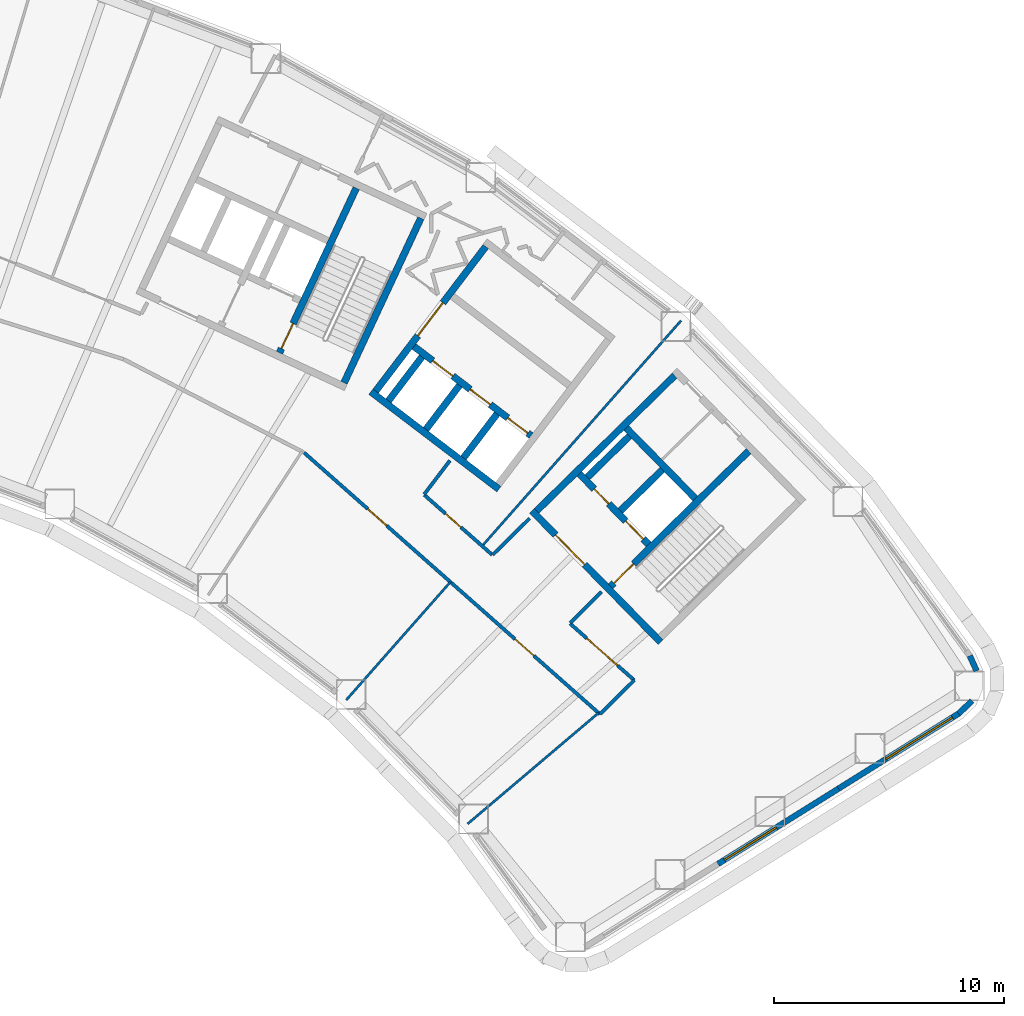
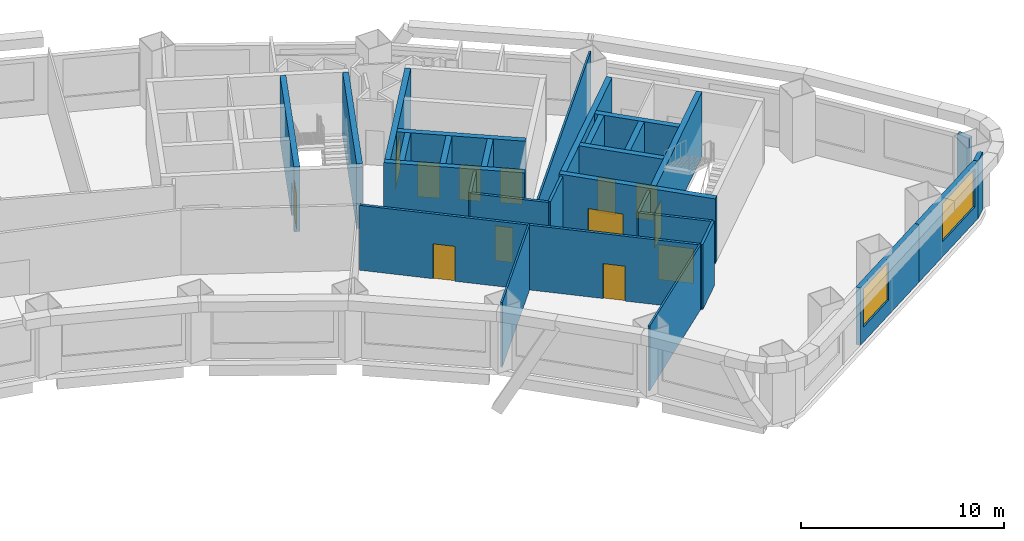
# One storey, part 6 of 11: 29 walls, 13 doors, 2 windows, 15 openings.
"""IFC4 building model written with IfcOpenShell, lengths in metres."""

import ifcopenshell
import ifcopenshell.guid

model = None  # the IFC model being written
_history = None  # IfcOwnerHistory: only IFC2X3 demands one
_inside = {}  # id of a spatial element -> (the spatial element, [elements in it])
_under = {}  # id of a project, library or spatial element -> (it, [spatial elements below it])
_declared = {}  # id of a project -> (the project, [libraries it declares])
_typed = {}  # id of a type object -> (the type object, [elements of that type])
_made_of = {}  # id of a material, layer set ... -> (it, [elements and type objects made of it])


def new_model(schema):
    """Start an empty IFC model of exactly this schema.

    Asked for "IFC4X3", IfcOpenShell would pick the latest addendum, in which some entities
    have other attributes; the version numbers below select the first issue.
    IFC2X3 requires an IfcOwnerHistory on every rooted entity: one is made here for all.
    """
    global model, _history
    if schema == "IFC4X3":
        model = ifcopenshell.file(schema_version=(4, 3, 0, 0))
    else:
        model = ifcopenshell.file(schema=schema)
    _inside.clear()
    _under.clear()
    _declared.clear()
    _typed.clear()
    _made_of.clear()
    _history = None
    if model.schema == "IFC2X3":
        org = make("IfcOrganization", Name="unknown")
        user = make(
            "IfcPersonAndOrganization",
            ThePerson=make("IfcPerson", FamilyName="unknown"),
            TheOrganization=org,
        )
        app = make(
            "IfcApplication",
            ApplicationDeveloper=org,
            Version="unknown",
            ApplicationFullName="unknown",
            ApplicationIdentifier="unknown",
        )
        _history = make(
            "IfcOwnerHistory",
            OwningUser=user,
            OwningApplication=app,
            ChangeAction="ADDED",
            CreationDate=0,
        )
    return model


def make(cls, **values):
    """One entity of the class cls with the attributes given. An attribute that is None is left unset."""
    return model.create_entity(
        cls, **{name: value for name, value in values.items() if value is not None}
    )


def rooted(cls, **values):
    """An entity with a GlobalId (a new one), such as an element, a storey or a relation."""
    return make(cls, GlobalId=ifcopenshell.guid.new(), OwnerHistory=_history, **values)


def si_unit(unit_type, name, prefix=None):
    """IfcSIUnit, for example si_unit("LENGTHUNIT", "METRE", prefix="MILLI")."""
    return make("IfcSIUnit", UnitType=unit_type, Prefix=prefix, Name=name)


def assignment(units):
    """IfcUnitAssignment: the units of a project."""
    return None if units is None else make("IfcUnitAssignment", Units=units)


def point(xyz):
    """IfcCartesianPoint."""
    return None if xyz is None else make("IfcCartesianPoint", Coordinates=xyz)


def direction(xyz):
    """IfcDirection."""
    return None if xyz is None else make("IfcDirection", DirectionRatios=xyz)


def frame(location, z_axis=None, x_axis=None):
    """IfcAxis2Placement3D, a coordinate frame: its origin and axes. An axis left out is left unset."""
    return make(
        "IfcAxis2Placement3D",
        Location=point(location),
        Axis=direction(z_axis),
        RefDirection=direction(x_axis),
    )


def frame_2d(location, x_axis=None):
    """IfcAxis2Placement2D, a coordinate frame in the plane: its origin and x axis."""
    return make(
        "IfcAxis2Placement2D", Location=point(location), RefDirection=direction(x_axis)
    )


def origin():
    """The frame at (0, 0, 0) with its axes left unset."""
    return frame((0.0, 0.0, 0.0))


def place(relative_to, where):
    """IfcLocalPlacement: puts the frame where relative to a parent placement (None: the world)."""
    return make(
        "IfcLocalPlacement", PlacementRelTo=relative_to, RelativePlacement=where
    )


def context(
    kind, dimensions, precision=None, world=None, true_north=None, identifier=None
):
    """IfcGeometricRepresentationContext, for example the 3D "Model" context."""
    return make(
        "IfcGeometricRepresentationContext",
        ContextIdentifier=identifier,
        ContextType=kind,
        CoordinateSpaceDimension=dimensions,
        Precision=precision,
        WorldCoordinateSystem=world,
        TrueNorth=true_north,
    )


def subcontext(parent, identifier, kind, view, scale=None):
    """IfcGeometricRepresentationSubContext, for example "Body" below "Model"."""
    return make(
        "IfcGeometricRepresentationSubContext",
        ContextIdentifier=identifier,
        ContextType=kind,
        ParentContext=parent,
        TargetScale=scale,
        TargetView=view,
    )


def project(units=None, contexts=None):
    """IfcProject with its units and contexts."""
    return rooted(
        "IfcProject",
        Name="project",
        RepresentationContexts=contexts,
        UnitsInContext=assignment(units),
    )


def spatial(cls, under=None, at=None, **own):
    """A site, building, storey or space (cls), placed at a placement, below another one or the project."""
    s = rooted(cls, ObjectPlacement=at, **own)
    if under is not None:
        _under.setdefault(under.id(), (under, []))[1].append(s)
    return s


def profile(cls, at=None, kind="AREA", **sizes):
    """A parametric profile (cls). Its sizes go by their IFC names, for example OverallWidth=200.0."""
    return make(cls, ProfileType=kind, Position=at, **sizes)


def rectangle(**sizes):
    """IfcRectangleProfileDef."""
    return profile("IfcRectangleProfileDef", **sizes)


def extrude(swept, where, along, depth):
    """IfcExtrudedAreaSolid: the profile swept, set in the frame where, extruded along a direction by depth."""
    return make(
        "IfcExtrudedAreaSolid",
        SweptArea=swept,
        Position=where,
        ExtrudedDirection=direction(along),
        Depth=depth,
    )


def shape(context_of_items, identifier, shape_type, items):
    """IfcShapeRepresentation: the items that make up one representation, for example the "Body"."""
    return make(
        "IfcShapeRepresentation",
        ContextOfItems=context_of_items,
        RepresentationIdentifier=identifier,
        RepresentationType=shape_type,
        Items=items,
    )


def material(Name=None, Category=None):
    """IfcMaterial."""
    return make("IfcMaterial", Name=Name, Category=Category)


def layer(
    of_material, thickness, ventilated=None, Name=None, Category=None, Priority=None
):
    """IfcMaterialLayer: one layer of a wall or slab, of a material (None: an air gap)."""
    return make(
        "IfcMaterialLayer",
        Material=of_material,
        LayerThickness=thickness,
        IsVentilated=ventilated,
        Name=Name,
        Category=Category,
        Priority=Priority,
    )


def layer_set(layers, Name=None):
    """IfcMaterialLayerSet."""
    return make("IfcMaterialLayerSet", MaterialLayers=layers, LayerSetName=Name)


def made_of(thing, what):
    """Note that an element or type object is made of a material, layer set ...; save() writes the relation."""
    if what is not None:
        _made_of.setdefault(what.id(), (what, []))[1].append(thing)
    return thing


def type_object(cls, material=None, **own):
    """A type object (cls), such as IfcWallType, which elements share."""
    return made_of(rooted(cls, **own), material)


def element(
    cls,
    number,
    at=None,
    inside=None,
    cuts=None,
    type_object=None,
    material=None,
    context=None,
    identifier="Body",
    shape_type=None,
    held_by="IfcProductDefinitionShape",
    body=None,
    shapes=None,
    **own,
):
    """One element of the class cls, such as IfcWall. Its Tag is "e" and its number.

    at: its placement. inside: the storey or other place that contains it. cuts: it is an
    opening in that element (IfcRelVoidsElement). A single representation is given by context,
    identifier, shape_type and body (its items); several are given by shapes. held_by: the class
    of the entity that holds the representations. save() writes the other relations.
    """
    e = rooted(cls, Tag="e%d" % number, ObjectPlacement=at, **own)
    if body is not None:
        shapes = [shape(context, identifier, shape_type, body)]
    if shapes is not None:
        e.Representation = make(held_by, Representations=shapes)
    if inside is not None:
        _inside.setdefault(inside.id(), (inside, []))[1].append(e)
    if cuts is not None:
        rooted(
            "IfcRelVoidsElement", RelatingBuildingElement=cuts, RelatedOpeningElement=e
        )
    if type_object is not None:
        _typed.setdefault(type_object.id(), (type_object, []))[1].append(e)
    return made_of(e, material)


def fill(opening, filler):
    """IfcRelFillsElement: the door or window that sits in an opening."""
    return rooted(
        "IfcRelFillsElement",
        RelatingOpeningElement=opening,
        RelatedBuildingElement=filler,
    )


def aggregate(whole, parts):
    """IfcRelAggregates: a whole, such as a stair, and the parts it consists of."""
    return rooted("IfcRelAggregates", RelatingObject=whole, RelatedObjects=parts)


def save(model, path):
    """Write the relations noted so far, then the file.

    IfcRelAggregates (storeys below a building ...), IfcRelContainedInSpatialStructure (elements
    in a storey), IfcRelDefinesByType, IfcRelAssociatesMaterial and IfcRelDeclares: one each for
    every whole, place, type object, material and project.
    """
    for whole, parts in _under.values():
        aggregate(whole, parts)
    for where, things in _inside.values():
        rooted(
            "IfcRelContainedInSpatialStructure",
            RelatedElements=things,
            RelatingStructure=where,
        )
    for kind, things in _typed.values():
        rooted("IfcRelDefinesByType", RelatedObjects=things, RelatingType=kind)
    for what, things in _made_of.values():
        rooted("IfcRelAssociatesMaterial", RelatedObjects=things, RelatingMaterial=what)
    for by, libraries in _declared.values():
        rooted("IfcRelDeclares", RelatingContext=by, RelatedDefinitions=libraries)
    model.write(path)


model = new_model("IFC4")

# Units and contexts
model_context = context("Model", 3, precision=1e-05, world=origin(), true_north=direction((0.0, 1.0)))
body_context = subcontext(model_context, "Body", "Model", "MODEL_VIEW")
ifc_project = project(units=[si_unit("LENGTHUNIT", "METRE"), si_unit("AREAUNIT", "SQUARE_METRE"), si_unit("VOLUMEUNIT", "CUBIC_METRE"), si_unit("PLANEANGLEUNIT", "RADIAN"), si_unit("MASSUNIT", "GRAM", prefix="KILO")], contexts=[model_context])

# Site, building, storey
site_placement = place(None, origin())
site = spatial("IfcSite", under=ifc_project, at=site_placement, CompositionType="ELEMENT")
building_placement = place(site_placement, origin())
building = spatial("IfcBuilding", under=site, at=building_placement, Name="Tuul Gate Civic Tower", CompositionType="ELEMENT")
storey_placement = place(building_placement, frame((0.0, 0.0, 35.699951171875)))
storey = spatial("IfcBuildingStorey", under=building, at=storey_placement, Name="Level 07", CompositionType="ELEMENT", Elevation=35.699951171875)

# Wall, opening, door
ifc_material_1 = material(Name="Concrete C50/60", Category="concrete")
ifc_layer_1 = layer(ifc_material_1, 0.300048828125)
ifc_layer_set_1 = layer_set([ifc_layer_1], Name="Concrete C50/60")
wall_type_1 = type_object("IfcWallType", Name="Core wall C50/60", PredefinedType="SHEAR", material=ifc_layer_set_1)
wall_1_placement = place(storey_placement, frame((48.22509765625, -18.327880859375, 0.0), z_axis=(0.0, 0.0, 1.0), x_axis=(-0.700021979774, 0.714121297703, 0.0)))
wall_1 = element("IfcWall", 1, at=wall_1_placement, inside=storey, type_object=wall_type_1, Name="Core wall", PredefinedType="SHEAR", context=body_context, shape_type="SweptSolid", body=[
    extrude(rectangle(XDim=8.0, YDim=0.300048828125, at=frame_2d((4.0, 0.0))), origin(), (0.0, 0.0, 1.0), 3.900146484375),
])
opening_1_placement = place(wall_1_placement, frame((4.72509765625, 0.0, 0.0)))
opening_1 = element("IfcOpeningElement", 2, at=opening_1_placement, cuts=wall_1, Name="Opening LB-E1-LOBBY-1", PredefinedType="OPENING", context=body_context, shape_type="SweptSolid", body=[
    extrude(rectangle(XDim=1.800048828125, YDim=2.10009765625, at=frame_2d((0.89990234375, 1.050048828125))), frame((0.0, 0.16015625, 0.0), z_axis=(0.0, -1.0, 0.0), x_axis=(1.0, 0.0, 0.0)), (0.0, 0.0, 1.0), 0.320068359375),
])
ifc_material_2 = material(Name="Steel", Category="steel")
door_type_1 = type_object("IfcDoorType", Name="Lobby door", OperationType="DOUBLE_DOOR_SINGLE_SWING", PredefinedType="DOOR", material=ifc_material_2)
door_1_placement = place(opening_1_placement, frame((1.800048828125, 0.0, 0.0), z_axis=(0.0, 0.0, 1.0), x_axis=(-1.0, 0.0, 0.0)))
door_1 = element("IfcDoor", 3, at=door_1_placement, inside=storey, type_object=door_type_1, Name="Lobby door E1-LOBBY", OperationType="DOUBLE_DOOR_SINGLE_SWING", OverallHeight=2.10009765625, OverallWidth=1.800048828125, PredefinedType="DOOR", context=body_context, shape_type="SweptSolid", body=[
    extrude(rectangle(XDim=1.800048828125, YDim=2.10009765625, at=frame_2d((0.900146484375, 1.050048828125))), frame((0.0, 0.02490234375, 0.0), z_axis=(0.0, -1.0, 0.0), x_axis=(1.0, 0.0, 0.0)), (0.0, 0.0, 1.0), 0.050048828125),
])
fill(opening_1, door_1)

# Wall, openings, doors
wall_2_placement = place(storey_placement, frame((47.701904296875, -14.079833984375, 0.0), z_axis=(0.0, 0.0, 1.0), x_axis=(-0.700002721075, 0.714140175657, 0.0)))
wall_2 = element("IfcWall", 4, at=wall_2_placement, inside=storey, type_object=wall_type_1, Name="Core wall", PredefinedType="SHEAR", context=body_context, shape_type="SweptSolid", body=[
    extrude(rectangle(XDim=4.300048828125, YDim=0.300048828125, at=frame_2d((2.14990234375, 0.0))), origin(), (0.0, 0.0, 1.0), 3.900146484375),
])
opening_2_placement = place(wall_2_placement, frame((0.324951171875, 0.0, 0.0)))
opening_2 = element("IfcOpeningElement", 5, at=opening_2_placement, cuts=wall_2, Name="Opening LD-L4", PredefinedType="OPENING", context=body_context, shape_type="SweptSolid", body=[
    extrude(rectangle(XDim=1.10009765625, YDim=2.10009765625, at=frame_2d((0.550048828125, 1.050048828125))), frame((0.0, 0.16015625, 0.0), z_axis=(0.0, -1.0, 0.0), x_axis=(1.0, 0.0, 0.0)), (0.0, 0.0, 1.0), 0.320068359375),
])
opening_3_placement = place(wall_2_placement, frame((2.47509765625, 0.0, 0.0)))
opening_3 = element("IfcOpeningElement", 6, at=opening_3_placement, cuts=wall_2, Name="Opening FB-E1A2", PredefinedType="OPENING", context=body_context, shape_type="SweptSolid", body=[
    extrude(rectangle(XDim=0.89990234375, YDim=2.10009765625, at=frame_2d((0.449951171875, 1.050048828125))), frame((0.0, 0.16015625, 0.0), z_axis=(0.0, -1.0, 0.0), x_axis=(1.0, 0.0, 0.0)), (0.0, 0.0, 1.0), 0.320068359375),
])
ifc_material_3 = material(Name="Stainless steel", Category="steel")
door_type_2 = type_object("IfcDoorType", Name="Landing door", OperationType="DOUBLE_DOOR_SLIDING", PredefinedType="DOOR", material=ifc_material_3)
door_2_placement = place(opening_2_placement, origin())
door_2 = element("IfcDoor", 7, at=door_2_placement, inside=storey, type_object=door_type_2, Name="Low-rise lift L4 landing door", OperationType="DOUBLE_DOOR_SLIDING", OverallHeight=2.10009765625, OverallWidth=1.10009765625, PredefinedType="DOOR", context=body_context, shape_type="SweptSolid", body=[
    extrude(rectangle(XDim=1.10009765625, YDim=2.10009765625, at=frame_2d((0.550048828125, 1.050048828125))), frame((0.0, 0.02490234375, 0.0), z_axis=(0.0, -1.0, 0.0), x_axis=(1.0, 0.0, 0.0)), (0.0, 0.0, 1.0), 0.050048828125),
])
fill(opening_2, door_2)
ifc_material_4 = material(Name="Steel", Category="steel")
door_type_3 = type_object("IfcDoorType", Name="Store door", OperationType="NOTDEFINED", PredefinedType="DOOR", material=ifc_material_4)
door_3_placement = place(opening_3_placement, frame((0.89990234375, 0.0, 0.0), z_axis=(0.0, 0.0, 1.0), x_axis=(-1.0, 0.0, 0.0)))
door_3 = element("IfcDoor", 8, at=door_3_placement, inside=storey, type_object=door_type_3, Name="Store door E1A2", OperationType="SINGLE_SWING_LEFT", OverallHeight=2.10009765625, OverallWidth=0.89990234375, PredefinedType="DOOR", context=body_context, shape_type="SweptSolid", body=[
    extrude(rectangle(XDim=0.89990234375, YDim=2.10009765625, at=frame_2d((0.449951171875, 1.050048828125))), frame((0.0, 0.02490234375, 0.0), z_axis=(0.0, -1.0, 0.0), x_axis=(1.0, 0.0, 0.0)), (0.0, 0.0, 1.0), 0.050048828125),
])
fill(opening_3, door_3)

# Wall
wall_3_placement = place(storey_placement, frame((49.737060546875, -12.0849609375, 0.0), z_axis=(0.0, 0.0, 1.0), x_axis=(-0.700002721075, 0.714140175657, 0.0)))
element("IfcWall", 9, at=wall_3_placement, inside=storey, type_object=wall_type_1, Name="Core wall", PredefinedType="SHEAR", context=body_context, shape_type="SweptSolid", body=[
    extrude(rectangle(XDim=4.300048828125, YDim=0.300048828125, at=frame_2d((2.14990234375, 0.0))), origin(), (0.0, 0.0, 1.0), 3.900146484375),
])

# Wall, opening, door
wall_4_placement = place(storey_placement, frame((46.05712890625, -15.902099609375, 0.0), z_axis=(0.0, 0.0, 1.0), x_axis=(0.714134086973, 0.700008932674, 0.0)))
wall_4 = element("IfcWall", 10, at=wall_4_placement, inside=storey, type_object=wall_type_1, Name="Core wall", PredefinedType="SHEAR", context=body_context, shape_type="SweptSolid", body=[
    extrude(rectangle(XDim=8.400146484375, YDim=0.300048828125, at=frame_2d((4.2001953125, 0.0))), origin(), (0.0, 0.0, 1.0), 3.900146484375),
])
opening_4_placement = place(wall_4_placement, frame((0.199951171875, 0.0, 0.0)))
opening_4 = element("IfcOpeningElement", 11, at=opening_4_placement, cuts=wall_4, Name="Opening SD-ST-3", PredefinedType="OPENING", context=body_context, shape_type="SweptSolid", body=[
    extrude(rectangle(XDim=1.199951171875, YDim=2.10009765625, at=frame_2d((0.60009765625, 1.050048828125))), frame((0.0, 0.16015625, 0.0), z_axis=(0.0, -1.0, 0.0), x_axis=(1.0, 0.0, 0.0)), (0.0, 0.0, 1.0), 0.320068359375),
])
ifc_material_5 = material(Name="Steel", Category="steel")
door_type_4 = type_object("IfcDoorType", Name="Stair door", OperationType="NOTDEFINED", PredefinedType="DOOR", material=ifc_material_5)
door_4_placement = place(opening_4_placement, origin())
door_4 = element("IfcDoor", 12, at=door_4_placement, inside=storey, type_object=door_type_4, Name="Stair door ST-3", OperationType="SINGLE_SWING_LEFT", OverallHeight=2.10009765625, OverallWidth=1.199951171875, PredefinedType="DOOR", context=body_context, shape_type="SweptSolid", body=[
    extrude(rectangle(XDim=1.199951171875, YDim=2.10009765625, at=frame_2d((0.60009765625, 1.050048828125))), frame((0.0, 0.02490234375, 0.0), z_axis=(0.0, -1.0, 0.0), x_axis=(1.0, 0.0, 0.0)), (0.0, 0.0, 1.0), 0.050048828125),
])
fill(opening_4, door_4)

# Walls
wall_5_placement = place(storey_placement, frame((46.47900390625, -12.617919921875, 0.0), z_axis=(0.0, 0.0, 1.0), x_axis=(0.71410944159, 0.700034074479, 0.0)))
element("IfcWall", 13, at=wall_5_placement, inside=storey, type_object=wall_type_1, Name="Core wall", PredefinedType="SHEAR", context=body_context, shape_type="SweptSolid", body=[
    extrude(rectangle(XDim=2.5498046875, YDim=0.300048828125, at=frame_2d((1.27490234375, 0.0))), origin(), (0.0, 0.0, 1.0), 3.900146484375),
])
wall_6_placement = place(storey_placement, frame((45.0439453125, -11.154052734375, 0.0), z_axis=(0.0, 0.0, 1.0), x_axis=(0.714108498262, 0.700035036773, 0.0)))
element("IfcWall", 14, at=wall_6_placement, inside=storey, type_object=wall_type_1, Name="Core wall", PredefinedType="SHEAR", context=body_context, shape_type="SweptSolid", body=[
    extrude(rectangle(XDim=2.550048828125, YDim=0.300048828125, at=frame_2d((1.27490234375, 0.0))), origin(), (0.0, 0.0, 1.0), 3.900146484375),
])
wall_7_placement = place(storey_placement, frame((42.837158203125, -12.616943359375, 0.0), z_axis=(0.0, 0.0, 1.0), x_axis=(0.714119844755, 0.700023461983, 0.0)))
element("IfcWall", 15, at=wall_7_placement, inside=storey, type_object=wall_type_1, Name="Core wall", PredefinedType="SHEAR", context=body_context, shape_type="SweptSolid", body=[
    extrude(rectangle(XDim=8.39990234375, YDim=0.300048828125, at=frame_2d((4.199951171875, 0.0))), origin(), (0.0, 0.0, 1.0), 3.900146484375),
])
wall_8_placement = place(storey_placement, frame((34.455810546875, -7.05078125, 0.0), z_axis=(0.0, 0.0, 1.0), x_axis=(0.422570768258, 0.906329932096, 0.0)))
element("IfcWall", 16, at=wall_8_placement, inside=storey, type_object=wall_type_1, Name="Core wall", PredefinedType="SHEAR", context=body_context, shape_type="SweptSolid", body=[
    extrude(rectangle(XDim=7.900146484375, YDim=0.300048828125, at=frame_2d((3.9501953125, 0.0))), origin(), (0.0, 0.0, 1.0), 3.900146484375),
])

# Wall, opening, door
wall_9_placement = place(storey_placement, frame((31.646240234375, -5.740478515625, 0.0), z_axis=(0.0, 0.0, 1.0), x_axis=(0.422582604137, 0.906324413596, 0.0)))
wall_9 = element("IfcWall", 17, at=wall_9_placement, inside=storey, type_object=wall_type_1, Name="Core wall", PredefinedType="SHEAR", context=body_context, shape_type="SweptSolid", body=[
    extrude(rectangle(XDim=7.89990234375, YDim=0.300048828125, at=frame_2d((3.949951171875, 0.0))), origin(), (0.0, 0.0, 1.0), 3.900146484375),
])
opening_5_placement = place(wall_9_placement, frame((0.199951171875, 0.0, 0.0)))
opening_5 = element("IfcOpeningElement", 18, at=opening_5_placement, cuts=wall_9, Name="Opening SD-ST-4", PredefinedType="OPENING", context=body_context, shape_type="SweptSolid", body=[
    extrude(rectangle(XDim=1.199951171875, YDim=2.10009765625, at=frame_2d((0.60009765625, 1.050048828125))), frame((0.0, 0.16015625, 0.0), z_axis=(0.0, -1.0, 0.0), x_axis=(1.0, 0.0, 0.0)), (0.0, 0.0, 1.0), 0.320068359375),
])
door_5_placement = place(opening_5_placement, origin())
door_5 = element("IfcDoor", 19, at=door_5_placement, inside=storey, type_object=door_type_4, Name="Stair door ST-4", OperationType="SINGLE_SWING_LEFT", OverallHeight=2.10009765625, OverallWidth=1.199951171875, PredefinedType="DOOR", context=body_context, shape_type="SweptSolid", body=[
    extrude(rectangle(XDim=1.199951171875, YDim=2.10009765625, at=frame_2d((0.60009765625, 1.050048828125))), frame((0.0, 0.02490234375, 0.0), z_axis=(0.0, -1.0, 0.0), x_axis=(1.0, 0.0, 0.0)), (0.0, 0.0, 1.0), 0.050048828125),
])
fill(opening_5, door_5)

# Wall, openings, doors
ifc_material_6 = material(Name="Gypsum board partition")
ifc_layer_2 = layer(ifc_material_6, 0.14990234375)
ifc_layer_set_2 = layer_set([ifc_layer_2], Name="Gypsum board partition")
wall_type_2 = type_object("IfcWallType", Name="Corridor wall P150", PredefinedType="PARTITIONING", material=ifc_layer_set_2)
wall_10_placement = place(storey_placement, frame((32.717041015625, -10.0888671875, 0.0), z_axis=(0.0, 0.0, 1.0), x_axis=(0.749263470763, -0.662272037293, 0.0)))
wall_10 = element("IfcWall", 20, at=wall_10_placement, inside=storey, type_object=wall_type_2, Name="p004", PredefinedType="PARTITIONING", context=body_context, shape_type="SweptSolid", body=[
    extrude(rectangle(XDim=17.17578125, YDim=0.14990234375, at=frame_2d((8.587890625, 0.0))), origin(), (0.0, 0.0, 1.0), 3.900146484375),
])
opening_6_placement = place(wall_10_placement, frame((12.2451171875, 0.0, 0.0)))
opening_6 = element("IfcOpeningElement", 21, at=opening_6_placement, cuts=wall_10, Name="Opening A-D13", PredefinedType="OPENING", context=body_context, shape_type="SweptSolid", body=[
    extrude(rectangle(XDim=1.10009765625, YDim=2.10009765625, at=frame_2d((0.550048828125, 1.050048828125))), frame((0.0, 0.0849609375, 0.0), z_axis=(0.0, -1.0, 0.0), x_axis=(1.0, 0.0, 0.0)), (0.0, 0.0, 1.0), 0.169921875),
])
opening_7_placement = place(wall_10_placement, frame((3.697509765625, 0.0, 0.0)))
opening_7 = element("IfcOpeningElement", 22, at=opening_7_placement, cuts=wall_10, Name="Opening A-D14", PredefinedType="OPENING", context=body_context, shape_type="SweptSolid", body=[
    extrude(rectangle(XDim=1.10009765625, YDim=2.10009765625, at=frame_2d((0.550048828125, 1.050048828125))), frame((0.0, 0.0849609375, 0.0), z_axis=(0.0, -1.0, 0.0), x_axis=(1.0, 0.0, 0.0)), (0.0, 0.0, 1.0), 0.169921875),
])
ifc_material_7 = material(Name="Timber door leaf", Category="wood")
door_type_5 = type_object("IfcDoorType", Name="Door D11", OperationType="NOTDEFINED", PredefinedType="DOOR", material=ifc_material_7)
door_6_placement = place(opening_6_placement, frame((1.10009765625, 0.0, 0.0), z_axis=(0.0, 0.0, 1.0), x_axis=(-1.0, 0.0, 0.0)))
door_6 = element("IfcDoor", 23, at=door_6_placement, inside=storey, type_object=door_type_5, Name="Door A-D13", OperationType="SINGLE_SWING_LEFT", OverallHeight=2.10009765625, OverallWidth=1.10009765625, PredefinedType="DOOR", context=body_context, shape_type="SweptSolid", body=[
    extrude(rectangle(XDim=1.10009765625, YDim=2.10009765625, at=frame_2d((0.550048828125, 1.050048828125))), frame((0.0, 0.02490234375, 0.0), z_axis=(0.0, -1.0, 0.0), x_axis=(1.0, 0.0, 0.0)), (0.0, 0.0, 1.0), 0.050048828125),
])
fill(opening_6, door_6)
door_7_placement = place(opening_7_placement, frame((1.10009765625, 0.0, 0.0), z_axis=(0.0, 0.0, 1.0), x_axis=(-1.0, 0.0, 0.0)))
door_7 = element("IfcDoor", 24, at=door_7_placement, inside=storey, type_object=door_type_5, Name="Door A-D14", OperationType="SINGLE_SWING_LEFT", OverallHeight=2.10009765625, OverallWidth=1.10009765625, PredefinedType="DOOR", context=body_context, shape_type="SweptSolid", body=[
    extrude(rectangle(XDim=1.10009765625, YDim=2.10009765625, at=frame_2d((0.550048828125, 1.050048828125))), frame((0.0, 0.02490234375, 0.0), z_axis=(0.0, -1.0, 0.0), x_axis=(1.0, 0.0, 0.0)), (0.0, 0.0, 1.0), 0.050048828125),
])
fill(opening_7, door_7)

# Wall
wall_11_placement = place(storey_placement, frame((45.586181640625, -21.4638671875, 0.0), z_axis=(0.0, 0.0, 1.0), x_axis=(0.711683754501, 0.702499988313, 0.0)))
element("IfcWall", 25, at=wall_11_placement, inside=storey, type_object=wall_type_2, Name="p005", PredefinedType="PARTITIONING", context=body_context, shape_type="SweptSolid", body=[
    extrude(rectangle(XDim=2.10009765625, YDim=0.14990234375, at=frame_2d((1.050048828125, 0.0))), origin(), (0.0, 0.0, 1.0), 3.900146484375),
])

# Wall, opening, door
wall_12_placement = place(storey_placement, frame((37.9462890625, -11.927490234375, 0.0), z_axis=(0.0, 0.0, 1.0), x_axis=(0.749779919048, -0.661687292452, 0.0)))
wall_12 = element("IfcWall", 26, at=wall_12_placement, inside=storey, type_object=wall_type_2, Name="p006", PredefinedType="PARTITIONING", context=body_context, shape_type="SweptSolid", body=[
    extrude(rectangle(XDim=3.935302734375, YDim=0.14990234375, at=frame_2d((1.9677734375, 0.0))), origin(), (0.0, 0.0, 1.0), 3.900146484375),
])
opening_8_placement = place(wall_12_placement, frame((1.228759765625, 0.0, 0.0)))
opening_8 = element("IfcOpeningElement", 27, at=opening_8_placement, cuts=wall_12, Name="Opening A-D02", PredefinedType="OPENING", context=body_context, shape_type="SweptSolid", body=[
    extrude(rectangle(XDim=0.89990234375, YDim=2.10009765625, at=frame_2d((0.449951171875, 1.050048828125))), frame((0.0, 0.0849609375, 0.0), z_axis=(0.0, -1.0, 0.0), x_axis=(1.0, 0.0, 0.0)), (0.0, 0.0, 1.0), 0.169921875),
])
ifc_material_8 = material(Name="Timber door leaf", Category="wood")
door_type_6 = type_object("IfcDoorType", Name="Door D09", OperationType="NOTDEFINED", PredefinedType="DOOR", material=ifc_material_8)
door_8_placement = place(opening_8_placement, origin())
door_8 = element("IfcDoor", 28, at=door_8_placement, inside=storey, type_object=door_type_6, Name="Door A-D02", OperationType="SINGLE_SWING_RIGHT", OverallHeight=2.10009765625, OverallWidth=0.89990234375, PredefinedType="DOOR", context=body_context, shape_type="SweptSolid", body=[
    extrude(rectangle(XDim=0.89990234375, YDim=2.10009765625, at=frame_2d((0.449951171875, 1.050048828125))), frame((0.0, 0.02490234375, 0.0), z_axis=(0.0, -1.0, 0.0), x_axis=(1.0, 0.0, 0.0)), (0.0, 0.0, 1.0), 0.050048828125),
])
fill(opening_8, door_8)

wall_13_placement = place(storey_placement, frame((44.291259765625, -17.52685546875, 0.0), z_axis=(0.0, 0.0, 1.0), x_axis=(0.749797638127, -0.661667213831, 0.0)))
wall_13 = element("IfcWall", 29, at=wall_13_placement, inside=storey, type_object=wall_type_2, Name="p007", PredefinedType="PARTITIONING", context=body_context, shape_type="SweptSolid", body=[
    extrude(rectangle(XDim=3.720458984375, YDim=0.14990234375, at=frame_2d((1.8603515625, 0.0))), origin(), (0.0, 0.0, 1.0), 3.900146484375),
])
opening_9_placement = place(wall_13_placement, frame((0.960205078125, 0.0, 0.0)))
opening_9 = element("IfcOpeningElement", 30, at=opening_9_placement, cuts=wall_13, Name="Opening A-D01", PredefinedType="OPENING", context=body_context, shape_type="SweptSolid", body=[
    extrude(rectangle(XDim=1.800048828125, YDim=2.10009765625, at=frame_2d((0.89990234375, 1.050048828125))), frame((0.0, 0.0849609375, 0.0), z_axis=(0.0, -1.0, 0.0), x_axis=(1.0, 0.0, 0.0)), (0.0, 0.0, 1.0), 0.169921875),
])
ifc_material_9 = material(Name="Timber door leaf, double", Category="wood")
door_type_7 = type_object("IfcDoorType", Name="Door D18", OperationType="DOUBLE_DOOR_SINGLE_SWING", PredefinedType="DOOR", material=ifc_material_9)
door_9_placement = place(opening_9_placement, origin())
door_9 = element("IfcDoor", 31, at=door_9_placement, inside=storey, type_object=door_type_7, Name="Door A-D01", OperationType="DOUBLE_DOOR_SINGLE_SWING", OverallHeight=2.10009765625, OverallWidth=1.800048828125, PredefinedType="DOOR", context=body_context, shape_type="SweptSolid", body=[
    extrude(rectangle(XDim=1.800048828125, YDim=2.10009765625, at=frame_2d((0.89990234375, 1.050048828125))), frame((0.0, 0.02490234375, 0.0), z_axis=(0.0, -1.0, 0.0), x_axis=(1.0, 0.0, 0.0)), (0.0, 0.0, 1.0), 0.050048828125),
])
fill(opening_9, door_9)

# Walls
wall_14_placement = place(storey_placement, frame((44.290283203125, -17.496826171875, 0.0), z_axis=(0.0, 0.0, 1.0), x_axis=(0.71120987224, 0.702979741976, 0.0)))
element("IfcWall", 32, at=wall_14_placement, inside=storey, type_object=wall_type_2, Name="p008", PredefinedType="PARTITIONING", context=body_context, shape_type="SweptSolid", body=[
    extrude(rectangle(XDim=1.92822265625, YDim=0.14990234375, at=frame_2d((0.964111328125, 0.0))), origin(), (0.0, 0.0, 1.0), 3.900146484375),
])
wall_15_placement = place(storey_placement, frame((40.920654296875, -14.533935546875, 0.0), z_axis=(0.0, 0.0, 1.0), x_axis=(0.711842912354, 0.702338713251, 0.0)))
element("IfcWall", 33, at=wall_15_placement, inside=storey, type_object=wall_type_2, Name="p009", PredefinedType="PARTITIONING", context=body_context, shape_type="SweptSolid", body=[
    extrude(rectangle(XDim=2.260498046875, YDim=0.14990234375, at=frame_2d((1.13037109375, 0.0))), origin(), (0.0, 0.0, 1.0), 3.900146484375),
])
wall_16_placement = place(storey_placement, frame((37.943359375, -11.8994140625, 0.0), z_axis=(0.0, 0.0, 1.0), x_axis=(0.605831736244, 0.795592802481, 0.0)))
element("IfcWall", 34, at=wall_16_placement, inside=storey, type_object=wall_type_2, Name="p010", PredefinedType="PARTITIONING", context=body_context, shape_type="SweptSolid", body=[
    extrude(rectangle(XDim=1.84375, YDim=0.14990234375, at=frame_2d((0.921875, 0.0))), origin(), (0.0, 0.0, 1.0), 3.900146484375),
])
ifc_material_10 = material(Name="Precast concrete C40/50", Category="concrete")
ifc_layer_3 = layer(ifc_material_10, 0.25)
ifc_layer_set_3 = layer_set([ifc_layer_3], Name="Precast concrete C40/50")
wall_type_3 = type_object("IfcWallType", Name="External wall", PredefinedType="STANDARD", material=ifc_layer_set_3)
wall_17_placement = place(storey_placement, frame((61.1904296875, -21.442626953125, 0.0), z_axis=(0.0, 0.0, 1.0), x_axis=(0.722244224905, 0.691638113172, 0.0)))
element("IfcWall", 35, at=wall_17_placement, inside=storey, type_object=wall_type_3, Name="External wall", PredefinedType="STANDARD", context=body_context, shape_type="SweptSolid", body=[
    extrude(rectangle(XDim=0.813720703125, YDim=0.25, at=frame_2d((0.40673828125, 0.0))), origin(), (0.0, 0.0, 1.0), 3.449951171875),
])
wall_18_placement = place(storey_placement, frame((61.973388671875, -19.580078125, 0.0), z_axis=(0.0, 0.0, 1.0), x_axis=(-0.412831515496, 0.910807410934, 0.0)))
element("IfcWall", 36, at=wall_18_placement, inside=storey, type_object=wall_type_3, Name="External wall", PredefinedType="STANDARD", context=body_context, shape_type="SweptSolid", body=[
    extrude(rectangle(XDim=0.7197265625, YDim=0.25, at=frame_2d((0.35986328125, 0.0))), origin(), (0.0, 0.0, 1.0), 3.449951171875),
])

# Wall, opening, window
wall_19_placement = place(storey_placement, frame((50.72412109375, -27.979736328125, 0.0), z_axis=(0.0, 0.0, 1.0), x_axis=(0.848053758074, 0.529910203164, 0.0)))
wall_19 = element("IfcWall", 37, at=wall_19_placement, inside=storey, type_object=wall_type_3, Name="External wall", PredefinedType="STANDARD", context=body_context, shape_type="SweptSolid", body=[
    extrude(rectangle(XDim=6.182861328125, YDim=0.25, at=frame_2d((3.09130859375, 0.0))), origin(), (0.0, 0.0, 1.0), 3.449951171875),
])
opening_10_placement = place(wall_19_placement, frame((0.3330078125, 0.0, 0.89990234375)))
opening_10 = element("IfcOpeningElement", 38, at=opening_10_placement, cuts=wall_19, Name="Opening W37", PredefinedType="OPENING", context=body_context, shape_type="SweptSolid", body=[
    extrude(rectangle(XDim=2.64990234375, YDim=2.300048828125, at=frame_2d((1.324951171875, 1.14990234375))), frame((0.0, 0.135009765625, 0.0), z_axis=(0.0, -1.0, 0.0), x_axis=(1.0, 0.0, 0.0)), (0.0, 0.0, 1.0), 0.27001953125),
])
ifc_material_11 = material(Name="Glass", Category="glass")
window_type_1 = type_object("IfcWindowType", Name="Window 2650 x 2300", PartitioningType="SINGLE_PANEL", PredefinedType="WINDOW", material=ifc_material_11)
window_1_placement = place(opening_10_placement, origin())
window_1 = element("IfcWindow", 39, at=window_1_placement, inside=storey, type_object=window_type_1, Name="Window", OverallHeight=2.300048828125, OverallWidth=2.64990234375, PartitioningType="SINGLE_PANEL", PredefinedType="WINDOW", context=body_context, shape_type="SweptSolid", body=[
    extrude(rectangle(XDim=2.64990234375, YDim=2.300048828125, at=frame_2d((1.324951171875, 1.14990234375))), frame((0.0, 0.030029296875, 0.0), z_axis=(0.0, -1.0, 0.0), x_axis=(1.0, 0.0, 0.0)), (0.0, 0.0, 1.0), 0.06005859375),
])
fill(opening_10, window_1)

wall_20_placement = place(storey_placement, frame((55.967529296875, -24.703369140625, 0.0), z_axis=(0.0, 0.0, 1.0), x_axis=(0.848042669488, 0.529927948619, 0.0)))
wall_20 = element("IfcWall", 40, at=wall_20_placement, inside=storey, type_object=wall_type_3, Name="External wall", PredefinedType="STANDARD", context=body_context, shape_type="SweptSolid", body=[
    extrude(rectangle(XDim=6.1826171875, YDim=0.25, at=frame_2d((3.09130859375, 0.0))), origin(), (0.0, 0.0, 1.0), 3.449951171875),
])
opening_11_placement = place(wall_20_placement, frame((2.443115234375, 0.0, 0.89990234375)))
opening_11 = element("IfcOpeningElement", 41, at=opening_11_placement, cuts=wall_20, Name="Opening W32", PredefinedType="OPENING", context=body_context, shape_type="SweptSolid", body=[
    extrude(rectangle(XDim=3.39990234375, YDim=2.300048828125, at=frame_2d((1.699951171875, 1.14990234375))), frame((0.0, 0.135009765625, 0.0), z_axis=(0.0, -1.0, 0.0), x_axis=(1.0, 0.0, 0.0)), (0.0, 0.0, 1.0), 0.27001953125),
])
ifc_material_12 = material(Name="Glass", Category="glass")
window_type_2 = type_object("IfcWindowType", Name="Window 3400 x 2300", PartitioningType="SINGLE_PANEL", PredefinedType="WINDOW", material=ifc_material_12)
window_2_placement = place(opening_11_placement, origin())
window_2 = element("IfcWindow", 42, at=window_2_placement, inside=storey, type_object=window_type_2, Name="Window", OverallHeight=2.300048828125, OverallWidth=3.39990234375, PartitioningType="SINGLE_PANEL", PredefinedType="WINDOW", context=body_context, shape_type="SweptSolid", body=[
    extrude(rectangle(XDim=3.39990234375, YDim=2.300048828125, at=frame_2d((1.699951171875, 1.14990234375))), frame((0.0, 0.030029296875, 0.0), z_axis=(0.0, -1.0, 0.0), x_axis=(1.0, 0.0, 0.0)), (0.0, 0.0, 1.0), 0.06005859375),
])
fill(opening_11, window_2)

# Wall
ifc_material_13 = material(Name="Concrete C40/50", Category="concrete")
ifc_layer_4 = layer(ifc_material_13, 0.300048828125)
ifc_layer_set_4 = layer_set([ifc_layer_4], Name="Concrete C40/50")
wall_type_4 = type_object("IfcWallType", Name="Lift shaft wall C40/50", PredefinedType="STANDARD", material=ifc_layer_set_4)
wall_21_placement = place(storey_placement, frame((41.19189453125, -11.677734375, 0.0), z_axis=(0.0, 0.0, 1.0), x_axis=(-0.795563000331, 0.605870871147, 0.0)))
element("IfcWall", 43, at=wall_21_placement, inside=storey, type_object=wall_type_4, Name="Shaft wall", PredefinedType="STANDARD", context=body_context, shape_type="SweptSolid", body=[
    extrude(rectangle(XDim=7.000244140625, YDim=0.300048828125, at=frame_2d((3.5, 0.0))), origin(), (0.0, 0.0, 1.0), 3.900146484375),
])

# Wall, openings, doors
wall_22_placement = place(storey_placement, frame((42.5888671875, -9.34765625, 0.0), z_axis=(0.0, 0.0, 1.0), x_axis=(-0.795584062101, 0.605843214149, 0.0)))
wall_22 = element("IfcWall", 44, at=wall_22_placement, inside=storey, type_object=wall_type_4, Name="Shaft wall", PredefinedType="STANDARD", context=body_context, shape_type="SweptSolid", body=[
    extrude(rectangle(XDim=6.400146484375, YDim=0.300048828125, at=frame_2d((3.2001953125, 0.0))), origin(), (0.0, 0.0, 1.0), 3.900146484375),
])
opening_12_placement = place(wall_22_placement, frame((0.175048828125, 0.0, 0.0)))
opening_12 = element("IfcOpeningElement", 45, at=opening_12_placement, cuts=wall_22, Name="Opening LD-L1", PredefinedType="OPENING", context=body_context, shape_type="SweptSolid", body=[
    extrude(rectangle(XDim=1.10009765625, YDim=2.10009765625, at=frame_2d((0.550048828125, 1.050048828125))), frame((0.0, 0.16015625, 0.0), z_axis=(0.0, -1.0, 0.0), x_axis=(1.0, 0.0, 0.0)), (0.0, 0.0, 1.0), 0.320068359375),
])
opening_13_placement = place(wall_22_placement, frame((2.22509765625, 0.0, 0.0)))
opening_13 = element("IfcOpeningElement", 46, at=opening_13_placement, cuts=wall_22, Name="Opening LD-L2", PredefinedType="OPENING", context=body_context, shape_type="SweptSolid", body=[
    extrude(rectangle(XDim=1.10009765625, YDim=2.10009765625, at=frame_2d((0.550048828125, 1.050048828125))), frame((0.0, 0.16015625, 0.0), z_axis=(0.0, -1.0, 0.0), x_axis=(1.0, 0.0, 0.0)), (0.0, 0.0, 1.0), 0.320068359375),
])
opening_14_placement = place(wall_22_placement, frame((4.27490234375, 0.0, 0.0)))
opening_14 = element("IfcOpeningElement", 47, at=opening_14_placement, cuts=wall_22, Name="Opening LD-L3", PredefinedType="OPENING", context=body_context, shape_type="SweptSolid", body=[
    extrude(rectangle(XDim=1.10009765625, YDim=2.10009765625, at=frame_2d((0.550048828125, 1.050048828125))), frame((0.0, 0.16015625, 0.0), z_axis=(0.0, -1.0, 0.0), x_axis=(1.0, 0.0, 0.0)), (0.0, 0.0, 1.0), 0.320068359375),
])
door_10_placement = place(opening_12_placement, origin())
door_10 = element("IfcDoor", 48, at=door_10_placement, inside=storey, type_object=door_type_2, Name="Low-rise lift L1 landing door", OperationType="DOUBLE_DOOR_SLIDING", OverallHeight=2.10009765625, OverallWidth=1.10009765625, PredefinedType="DOOR", context=body_context, shape_type="SweptSolid", body=[
    extrude(rectangle(XDim=1.10009765625, YDim=2.10009765625, at=frame_2d((0.550048828125, 1.050048828125))), frame((0.0, 0.02490234375, 0.0), z_axis=(0.0, -1.0, 0.0), x_axis=(1.0, 0.0, 0.0)), (0.0, 0.0, 1.0), 0.050048828125),
])
fill(opening_12, door_10)
door_11_placement = place(opening_13_placement, origin())
door_11 = element("IfcDoor", 49, at=door_11_placement, inside=storey, type_object=door_type_2, Name="Low-rise lift L2 landing door", OperationType="DOUBLE_DOOR_SLIDING", OverallHeight=2.10009765625, OverallWidth=1.10009765625, PredefinedType="DOOR", context=body_context, shape_type="SweptSolid", body=[
    extrude(rectangle(XDim=1.10009765625, YDim=2.10009765625, at=frame_2d((0.550048828125, 1.050048828125))), frame((0.0, 0.02490234375, 0.0), z_axis=(0.0, -1.0, 0.0), x_axis=(1.0, 0.0, 0.0)), (0.0, 0.0, 1.0), 0.050048828125),
])
fill(opening_13, door_11)
door_12_placement = place(opening_14_placement, origin())
door_12 = element("IfcDoor", 50, at=door_12_placement, inside=storey, type_object=door_type_2, Name="Low-rise lift L3 landing door", OperationType="DOUBLE_DOOR_SLIDING", OverallHeight=2.10009765625, OverallWidth=1.10009765625, PredefinedType="DOOR", context=body_context, shape_type="SweptSolid", body=[
    extrude(rectangle(XDim=1.10009765625, YDim=2.10009765625, at=frame_2d((0.550048828125, 1.050048828125))), frame((0.0, 0.02490234375, 0.0), z_axis=(0.0, -1.0, 0.0), x_axis=(1.0, 0.0, 0.0)), (0.0, 0.0, 1.0), 0.050048828125),
])
fill(opening_14, door_12)

# Walls
wall_23_placement = place(storey_placement, frame((39.65185546875, -10.31640625, 0.0), z_axis=(0.0, 0.0, 1.0), x_axis=(0.605745892068, 0.79565816419, 0.0)))
element("IfcWall", 51, at=wall_23_placement, inside=storey, type_object=wall_type_4, Name="Shaft wall", PredefinedType="STANDARD", context=body_context, shape_type="SweptSolid", body=[
    extrude(rectangle(XDim=2.400146484375, YDim=0.300048828125, at=frame_2d((1.2001953125, 0.0))), origin(), (0.0, 0.0, 1.0), 3.900146484375),
])
wall_24_placement = place(storey_placement, frame((38.02099609375, -9.07421875, 0.0), z_axis=(0.0, 0.0, 1.0), x_axis=(0.605730519254, 0.795669867498, 0.0)))
element("IfcWall", 52, at=wall_24_placement, inside=storey, type_object=wall_type_4, Name="Shaft wall", PredefinedType="STANDARD", context=body_context, shape_type="SweptSolid", body=[
    extrude(rectangle(XDim=2.399658203125, YDim=0.300048828125, at=frame_2d((1.19970703125, 0.0))), origin(), (0.0, 0.0, 1.0), 3.900146484375),
])
wall_25_placement = place(storey_placement, frame((36.389892578125, -7.832275390625, 0.0), z_axis=(0.0, 0.0, 1.0), x_axis=(0.605745892068, 0.79565816419, 0.0)))
element("IfcWall", 53, at=wall_25_placement, inside=storey, type_object=wall_type_4, Name="Shaft wall", PredefinedType="STANDARD", context=body_context, shape_type="SweptSolid", body=[
    extrude(rectangle(XDim=2.400146484375, YDim=0.300048828125, at=frame_2d((1.2001953125, 0.0))), origin(), (0.0, 0.0, 1.0), 3.900146484375),
])

# Wall, opening, door
wall_26_placement = place(storey_placement, frame((35.8330078125, -7.408203125, 0.0), z_axis=(0.0, 0.0, 1.0), x_axis=(0.605769437763, 0.795640237967, 0.0)))
wall_26 = element("IfcWall", 54, at=wall_26_placement, inside=storey, type_object=wall_type_4, Name="Shaft wall", PredefinedType="STANDARD", context=body_context, shape_type="SweptSolid", body=[
    extrude(rectangle(XDim=7.900146484375, YDim=0.300048828125, at=frame_2d((3.9501953125, 0.0))), origin(), (0.0, 0.0, 1.0), 3.900146484375),
])
opening_15_placement = place(wall_26_placement, frame((3.02490234375, 0.0, 0.0)))
opening_15 = element("IfcOpeningElement", 55, at=opening_15_placement, cuts=wall_26, Name="Opening LB-E2-LOBBY-1", PredefinedType="OPENING", context=body_context, shape_type="SweptSolid", body=[
    extrude(rectangle(XDim=1.800048828125, YDim=2.10009765625, at=frame_2d((0.89990234375, 1.050048828125))), frame((0.0, 0.16015625, 0.0), z_axis=(0.0, -1.0, 0.0), x_axis=(1.0, 0.0, 0.0)), (0.0, 0.0, 1.0), 0.320068359375),
])
door_13_placement = place(opening_15_placement, frame((1.800048828125, 0.0, 0.0), z_axis=(0.0, 0.0, 1.0), x_axis=(-1.0, 0.0, 0.0)))
door_13 = element("IfcDoor", 56, at=door_13_placement, inside=storey, type_object=door_type_1, Name="Lobby door E2-LOBBY", OperationType="DOUBLE_DOOR_SINGLE_SWING", OverallHeight=2.10009765625, OverallWidth=1.800048828125, PredefinedType="DOOR", context=body_context, shape_type="SweptSolid", body=[
    extrude(rectangle(XDim=1.800048828125, YDim=2.10009765625, at=frame_2d((0.900146484375, 1.050048828125))), frame((0.0, 0.02490234375, 0.0), z_axis=(0.0, -1.0, 0.0), x_axis=(1.0, 0.0, 0.0)), (0.0, 0.0, 1.0), 0.050048828125),
])
fill(opening_15, door_13)

# Walls
ifc_material_14 = material(Name="Gypsum board partition")
ifc_layer_5 = layer(ifc_material_14, 0.10009765625)
ifc_layer_set_5 = layer_set([ifc_layer_5], Name="Gypsum board partition")
wall_type_5 = type_object("IfcWallType", Name="Partition P100", PredefinedType="PARTITIONING", material=ifc_layer_set_5)
wall_27_placement = place(storey_placement, frame((34.547607421875, -20.852783203125, 0.0), z_axis=(0.0, 0.0, 1.0), x_axis=(0.661679374331, 0.749786906784, 0.0)))
element("IfcWall", 57, at=wall_27_placement, inside=storey, type_object=wall_type_5, Name="p001", PredefinedType="PARTITIONING", context=body_context, shape_type="SweptSolid", body=[
    extrude(rectangle(XDim=6.8525390625, YDim=0.10009765625, at=frame_2d((3.42626953125, 0.0))), origin(), (0.0, 0.0, 1.0), 3.900146484375),
])
wall_28_placement = place(storey_placement, frame((40.463623046875, -14.149169921875, 0.0), z_axis=(0.0, 0.0, 1.0), x_axis=(0.661682764635, 0.749783914861, 0.0)))
element("IfcWall", 58, at=wall_28_placement, inside=storey, type_object=wall_type_5, Name="p002", PredefinedType="PARTITIONING", context=body_context, shape_type="SweptSolid", body=[
    extrude(rectangle(XDim=13.076904296875, YDim=0.10009765625, at=frame_2d((6.53857421875, 0.0))), origin(), (0.0, 0.0, 1.0), 3.900146484375),
])
wall_29_placement = place(storey_placement, frame((39.82861328125, -26.239990234375, 0.0), z_axis=(0.0, 0.0, 1.0), x_axis=(0.762833019798, 0.646595533472, 0.0)))
element("IfcWall", 59, at=wall_29_placement, inside=storey, type_object=wall_type_5, Name="p003", PredefinedType="PARTITIONING", context=body_context, shape_type="SweptSolid", body=[
    extrude(rectangle(XDim=7.468994140625, YDim=0.10009765625, at=frame_2d((3.734375, 0.0))), origin(), (0.0, 0.0, 1.0), 3.900146484375),
])

save(model, "model.ifc")
